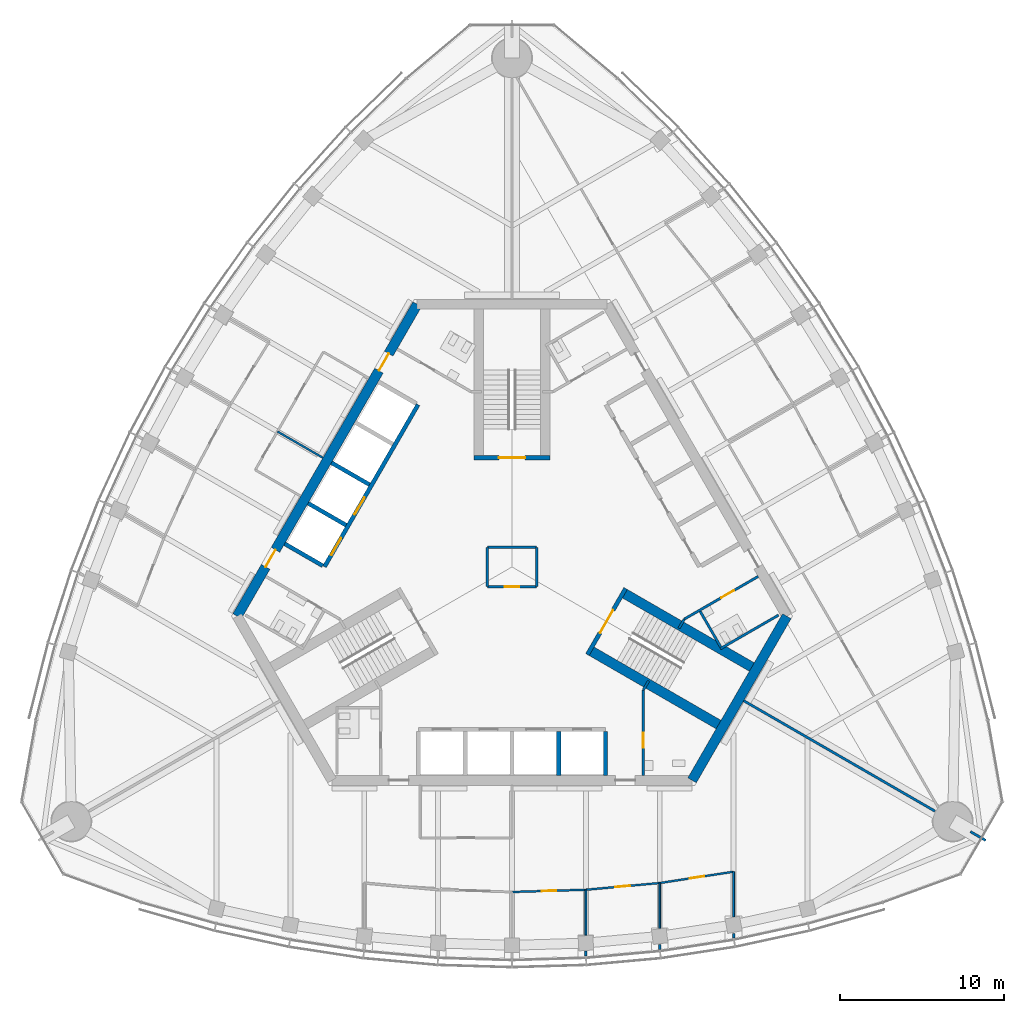
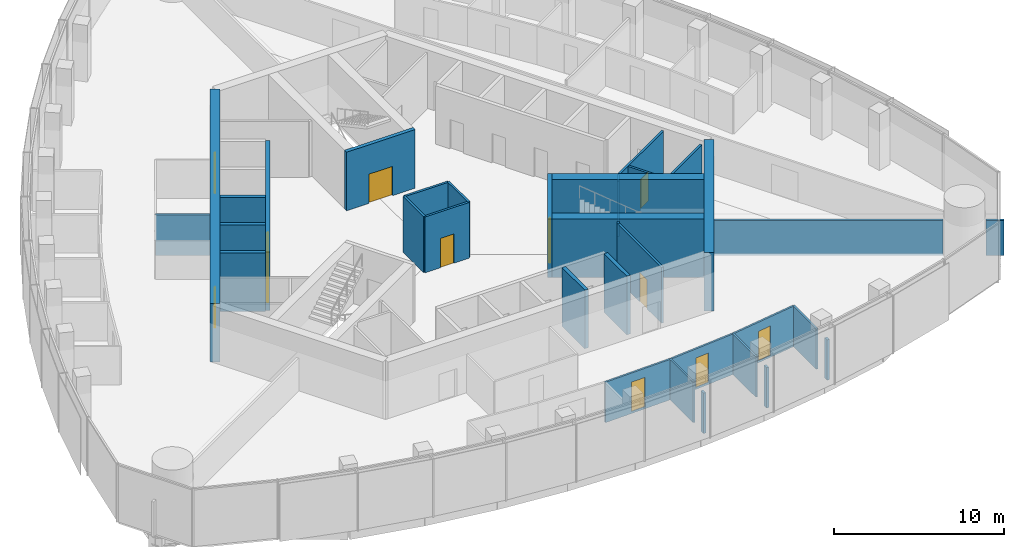
# One storey, part 9 of 16: 34 walls, 12 doors, 12 openings.
"""IFC4 building model written with IfcOpenShell, lengths in metres."""

from ifc_helpers import new_model, si_unit, direction, frame, frame_2d, origin, place, context, subcontext, project, spatial, rectangle, extrude, material, layer, layer_set, type_object, element, fill, save


model = new_model("IFC4")

# Units and contexts
model_context = context("Model", 3, precision=1e-05, world=origin(), true_north=direction((0.0, 1.0)))
body_context = subcontext(model_context, "Body", "Model", "MODEL_VIEW")
ifc_project = project(units=[si_unit("LENGTHUNIT", "METRE"), si_unit("AREAUNIT", "SQUARE_METRE"), si_unit("VOLUMEUNIT", "CUBIC_METRE"), si_unit("PLANEANGLEUNIT", "RADIAN"), si_unit("MASSUNIT", "GRAM", prefix="KILO")], contexts=[model_context])

# Site, building, storey
site_placement = place(None, origin())
site = spatial("IfcSite", under=ifc_project, at=site_placement, CompositionType="ELEMENT")
building_placement = place(site_placement, origin())
building = spatial("IfcBuilding", under=site, at=building_placement, Name="Trefoil Bronze Tower", CompositionType="ELEMENT")
storey_placement = place(building_placement, frame((0.0, 0.0, 301.5)))
storey = spatial("IfcBuildingStorey", under=building, at=storey_placement, Name="L69", CompositionType="ELEMENT", Elevation=301.5)

# Wall
ifc_material_1 = material(Name="Concrete B80", Category="concrete")
ifc_layer_1 = layer(ifc_material_1, 0.60009765625)
ifc_layer_set_1 = layer_set([ifc_layer_1], Name="Core wall 600")
wall_type_1 = type_object("IfcWallType", Name="Core wall 600", PredefinedType="SHEAR", material=ifc_layer_set_1)
wall_1_placement = place(storey_placement, frame((10.9697265625, -13.0, 0.0), z_axis=(0.0, 0.0, 1.0), x_axis=(0.499995765644, 0.866027848477, 0.0)))
element("IfcWall", 1, at=wall_1_placement, inside=storey, type_object=wall_type_1, Name="Core short wall 1 L69", PredefinedType="SHEAR", context=body_context, shape_type="SweptSolid", body=[
    extrude(rectangle(XDim=11.546875, YDim=0.60009765625, at=frame_2d((5.7734375, 0.0))), origin(), (0.0, 0.0, 1.0), 4.199951171875),
])

# Wall, openings, doors
wall_2_placement = place(storey_placement, frame((-5.7734375, 16.0, 0.0), z_axis=(0.0, 0.0, 1.0), x_axis=(-0.500002442456, -0.866023993627, 0.0)))
wall_2 = element("IfcWall", 2, at=wall_2_placement, inside=storey, type_object=wall_type_1, Name="Core long wall 3 L69", PredefinedType="SHEAR", context=body_context, shape_type="SweptSolid", body=[
    extrude(rectangle(XDim=21.939453125, YDim=0.60009765625, at=frame_2d((10.9697265625, 0.0))), origin(), (0.0, 0.0, 1.0), 4.199951171875),
])
opening_1_placement = place(wall_2_placement, frame((17.269775390625, 0.0, 0.0)))
opening_1 = element("IfcOpeningElement", 3, at=opening_1_placement, cuts=wall_2, Name="Opening D2", PredefinedType="OPENING", context=body_context, shape_type="SweptSolid", body=[
    extrude(rectangle(XDim=1.199951171875, YDim=2.10009765625, at=frame_2d((0.60009765625, 1.050048828125))), frame((0.0, 0.31005859375, 0.0), z_axis=(0.0, -1.0, 0.0), x_axis=(1.0, 0.0, 0.0)), (0.0, 0.0, 1.0), 0.6201171875),
])
opening_2_placement = place(wall_2_placement, frame((3.4697265625, 0.0, 0.0)))
opening_2 = element("IfcOpeningElement", 4, at=opening_2_placement, cuts=wall_2, Name="Opening D2", PredefinedType="OPENING", context=body_context, shape_type="SweptSolid", body=[
    extrude(rectangle(XDim=1.199951171875, YDim=2.10009765625, at=frame_2d((0.60009765625, 1.050048828125))), frame((0.0, 0.31005859375, 0.0), z_axis=(0.0, -1.0, 0.0), x_axis=(1.0, 0.0, 0.0)), (0.0, 0.0, 1.0), 0.6201171875),
])
ifc_material_2 = material(Name="Steel door", Category="steel")
door_type_1 = type_object("IfcDoorType", Name="Lobby door 1200", OperationType="SINGLE_SWING_RIGHT", PredefinedType="DOOR", material=ifc_material_2)
door_1_placement = place(opening_1_placement, origin())
door_1 = element("IfcDoor", 5, at=door_1_placement, inside=storey, type_object=door_type_1, Name="Lobby door F3+ L69", OperationType="SINGLE_SWING_RIGHT", OverallHeight=2.10009765625, OverallWidth=1.199951171875, PredefinedType="DOOR", context=body_context, shape_type="SweptSolid", body=[
    extrude(rectangle(XDim=1.199951171875, YDim=2.10009765625, at=frame_2d((0.60009765625, 1.050048828125))), frame((0.0, 0.02490234375, 0.0), z_axis=(0.0, -1.0, 0.0), x_axis=(1.0, 0.0, 0.0)), (0.0, 0.0, 1.0), 0.050048828125),
])
fill(opening_1, door_1)
door_2_placement = place(opening_2_placement, origin())
door_2 = element("IfcDoor", 6, at=door_2_placement, inside=storey, type_object=door_type_1, Name="Lobby door F3- L69", OperationType="SINGLE_SWING_LEFT", OverallHeight=2.10009765625, OverallWidth=1.199951171875, PredefinedType="DOOR", context=body_context, shape_type="SweptSolid", body=[
    extrude(rectangle(XDim=1.199951171875, YDim=2.10009765625, at=frame_2d((0.60009765625, 1.050048828125))), frame((0.0, 0.02490234375, 0.0), z_axis=(0.0, -1.0, 0.0), x_axis=(1.0, 0.0, 0.0)), (0.0, 0.0, 1.0), 0.050048828125),
])
fill(opening_2, door_2)

# Wall, opening, door
ifc_material_3 = material(Name="Glazed partition", Category="glass")
ifc_layer_2 = layer(ifc_material_3, 0.1201171875)
ifc_layer_set_2 = layer_set([ifc_layer_2], Name="Glazed partition 120")
wall_type_2 = type_object("IfcWallType", Name="Glazed partition 120", PredefinedType="PARTITIONING", material=ifc_layer_set_2)
wall_3_placement = place(storey_placement, frame((0.0, -19.801513671875, 0.0), z_axis=(0.0, 0.0, 1.0), x_axis=(0.999542074227, 0.030259574513, 0.0)))
wall_3 = element("IfcWall", 7, at=wall_3_placement, inside=storey, type_object=wall_type_2, Name="Partition F1 L69", PredefinedType="PARTITIONING", context=body_context, shape_type="SweptSolid", body=[
    extrude(rectangle(XDim=4.501953125, YDim=0.1201171875, at=frame_2d((2.2509765625, 0.0))), origin(), (0.0, 0.0, 1.0), 2.89990234375),
])
opening_3_placement = place(wall_3_placement, frame((1.800048828125, 0.0, 0.14990234375)))
opening_3 = element("IfcOpeningElement", 8, at=opening_3_placement, cuts=wall_3, Name="Opening D8", PredefinedType="OPENING", context=body_context, shape_type="SweptSolid", body=[
    extrude(rectangle(XDim=0.89990234375, YDim=2.10009765625, at=frame_2d((0.449951171875, 1.050048828125))), frame((0.0, 0.070068359375, 0.0), z_axis=(0.0, -1.0, 0.0), x_axis=(1.0, 0.0, 0.0)), (0.0, 0.0, 1.0), 0.14013671875),
])
ifc_material_4 = material(Name="Timber door", Category="wood")
door_type_2 = type_object("IfcDoorType", Name="Office door 900", OperationType="SINGLE_SWING_LEFT", PredefinedType="DOOR", material=ifc_material_4)
door_3_placement = place(opening_3_placement, frame((0.89990234375, 0.0, 0.0), z_axis=(0.0, 0.0, 1.0), x_axis=(-1.0, 0.0, 0.0)))
door_3 = element("IfcDoor", 9, at=door_3_placement, inside=storey, type_object=door_type_2, Name="Office door F1 L69", OperationType="SINGLE_SWING_RIGHT", OverallHeight=2.10009765625, OverallWidth=0.89990234375, PredefinedType="DOOR", context=body_context, shape_type="SweptSolid", body=[
    extrude(rectangle(XDim=0.89990234375, YDim=2.10009765625, at=frame_2d((0.449951171875, 1.050048828125))), frame((0.0, 0.02490234375, 0.0), z_axis=(0.0, -1.0, 0.0), x_axis=(1.0, 0.0, 0.0)), (0.0, 0.0, 1.0), 0.050048828125),
])
fill(opening_3, door_3)

wall_4_placement = place(storey_placement, frame((4.5, -19.665283203125, 0.0), z_axis=(0.0, 0.0, 1.0), x_axis=(0.995871921504, 0.090769576179, 0.0)))
wall_4 = element("IfcWall", 10, at=wall_4_placement, inside=storey, type_object=wall_type_2, Name="Partition F1 L69", PredefinedType="PARTITIONING", context=body_context, shape_type="SweptSolid", body=[
    extrude(rectangle(XDim=4.5185546875, YDim=0.1201171875, at=frame_2d((2.25927734375, 0.0))), origin(), (0.0, 0.0, 1.0), 2.89990234375),
])
opening_4_placement = place(wall_4_placement, frame((1.800048828125, 0.0, 0.14990234375)))
opening_4 = element("IfcOpeningElement", 11, at=opening_4_placement, cuts=wall_4, Name="Opening D8", PredefinedType="OPENING", context=body_context, shape_type="SweptSolid", body=[
    extrude(rectangle(XDim=0.89990234375, YDim=2.10009765625, at=frame_2d((0.449951171875, 1.050048828125))), frame((0.0, 0.070068359375, 0.0), z_axis=(0.0, -1.0, 0.0), x_axis=(1.0, 0.0, 0.0)), (0.0, 0.0, 1.0), 0.14013671875),
])
door_4_placement = place(opening_4_placement, frame((0.89990234375, 0.0, 0.0), z_axis=(0.0, 0.0, 1.0), x_axis=(-1.0, 0.0, 0.0)))
door_4 = element("IfcDoor", 12, at=door_4_placement, inside=storey, type_object=door_type_2, Name="Office door F1 L69", OperationType="SINGLE_SWING_RIGHT", OverallHeight=2.10009765625, OverallWidth=0.89990234375, PredefinedType="DOOR", context=body_context, shape_type="SweptSolid", body=[
    extrude(rectangle(XDim=0.89990234375, YDim=2.10009765625, at=frame_2d((0.449951171875, 1.050048828125))), frame((0.0, 0.02490234375, 0.0), z_axis=(0.0, -1.0, 0.0), x_axis=(1.0, 0.0, 0.0)), (0.0, 0.0, 1.0), 0.050048828125),
])
fill(opening_4, door_4)

wall_5_placement = place(storey_placement, frame((9.0, -19.255126953125, 0.0), z_axis=(0.0, 0.0, 1.0), x_axis=(0.988481794406, 0.151339823341, 0.0)))
wall_5 = element("IfcWall", 13, at=wall_5_placement, inside=storey, type_object=wall_type_2, Name="Partition F1 L69", PredefinedType="PARTITIONING", context=body_context, shape_type="SweptSolid", body=[
    extrude(rectangle(XDim=4.552490234375, YDim=0.1201171875, at=frame_2d((2.2763671875, 0.0))), origin(), (0.0, 0.0, 1.0), 2.89990234375),
])
opening_5_placement = place(wall_5_placement, frame((1.85009765625, 0.0, 0.14990234375)))
opening_5 = element("IfcOpeningElement", 14, at=opening_5_placement, cuts=wall_5, Name="Opening D8", PredefinedType="OPENING", context=body_context, shape_type="SweptSolid", body=[
    extrude(rectangle(XDim=0.89990234375, YDim=2.10009765625, at=frame_2d((0.449951171875, 1.050048828125))), frame((0.0, 0.070068359375, 0.0), z_axis=(0.0, -1.0, 0.0), x_axis=(1.0, 0.0, 0.0)), (0.0, 0.0, 1.0), 0.14013671875),
])
door_5_placement = place(opening_5_placement, frame((0.89990234375, 0.0, 0.0), z_axis=(0.0, 0.0, 1.0), x_axis=(-1.0, 0.0, 0.0)))
door_5 = element("IfcDoor", 15, at=door_5_placement, inside=storey, type_object=door_type_2, Name="Office door F1 L69", OperationType="SINGLE_SWING_LEFT", OverallHeight=2.10009765625, OverallWidth=0.89990234375, PredefinedType="DOOR", context=body_context, shape_type="SweptSolid", body=[
    extrude(rectangle(XDim=0.89990234375, YDim=2.10009765625, at=frame_2d((0.449951171875, 1.050048828125))), frame((0.0, 0.02490234375, 0.0), z_axis=(0.0, -1.0, 0.0), x_axis=(1.0, 0.0, 0.0)), (0.0, 0.0, 1.0), 0.050048828125),
])
fill(opening_5, door_5)

# Walls
wall_6_placement = place(storey_placement, frame((13.5, -18.566162109375, 0.0), z_axis=(0.0, 0.0, 1.0), x_axis=(0.0, -1.0, 0.0)))
element("IfcWall", 16, at=wall_6_placement, inside=storey, type_object=wall_type_2, Name="Partition F1 L69", PredefinedType="PARTITIONING", context=body_context, shape_type="SweptSolid", body=[
    extrude(rectangle(XDim=2.74853515625, YDim=0.1201171875, at=frame_2d((1.374267578125, 0.0))), origin(), (0.0, 0.0, 1.0), 2.89990234375),
])
wall_7_placement = place(storey_placement, frame((4.5, -19.665283203125, 0.0), z_axis=(0.0, 0.0, 1.0), x_axis=(0.0, -1.0, 0.0)))
element("IfcWall", 17, at=wall_7_placement, inside=storey, type_object=wall_type_2, Name="Partition F1 L69", PredefinedType="PARTITIONING", context=body_context, shape_type="SweptSolid", body=[
    extrude(rectangle(XDim=2.767822265625, YDim=0.1201171875, at=frame_2d((1.3837890625, 0.0))), origin(), (0.0, 0.0, 1.0), 2.89990234375),
])
wall_8_placement = place(storey_placement, frame((9.0, -19.255126953125, 0.0), z_axis=(0.0, 0.0, 1.0), x_axis=(0.0, -1.0, 0.0)))
element("IfcWall", 18, at=wall_8_placement, inside=storey, type_object=wall_type_2, Name="Partition F1 L69", PredefinedType="PARTITIONING", context=body_context, shape_type="SweptSolid", body=[
    extrude(rectangle(XDim=2.760498046875, YDim=0.1201171875, at=frame_2d((1.38037109375, 0.0))), origin(), (0.0, 0.0, 1.0), 2.89990234375),
])
wall_9_placement = place(storey_placement, frame((-11.51806640625, 6.64990234375, 0.0), z_axis=(0.0, 0.0, 1.0), x_axis=(-0.866008981251, 0.500028443584, 0.0)))
element("IfcWall", 19, at=wall_9_placement, inside=storey, type_object=wall_type_2, Name="Partition F3 L69", PredefinedType="PARTITIONING", context=body_context, shape_type="SweptSolid", body=[
    extrude(rectangle(XDim=3.199951171875, YDim=0.1201171875, at=frame_2d((1.60009765625, 0.0))), origin(), (0.0, 0.0, 1.0), 2.89990234375),
])

# Wall, opening, door
ifc_material_5 = material(Name="Gypsum board on steel studs", Category="steel")
ifc_layer_3 = layer(ifc_material_5, 0.14990234375)
ifc_layer_set_3 = layer_set([ifc_layer_3], Name="Partition 150")
wall_type_3 = type_object("IfcWallType", Name="Partition 150", PredefinedType="PARTITIONING", material=ifc_layer_set_3)
wall_10_placement = place(storey_placement, frame((8.0, -7.5, 0.0), z_axis=(0.0, 0.0, 1.0), x_axis=(0.0, -1.0, 0.0)))
wall_10 = element("IfcWall", 20, at=wall_10_placement, inside=storey, type_object=wall_type_3, Name="Passage wall F1+ L69", PredefinedType="PARTITIONING", context=body_context, shape_type="SweptSolid", body=[
    extrude(rectangle(XDim=5.199951171875, YDim=0.14990234375, at=frame_2d((2.60009765625, 0.0))), origin(), (0.0, 0.0, 1.0), 4.0),
])
opening_6_placement = place(wall_10_placement, frame((2.60009765625, 0.0, 0.0)))
opening_6 = element("IfcOpeningElement", 21, at=opening_6_placement, cuts=wall_10, Name="Opening D3", PredefinedType="OPENING", context=body_context, shape_type="SweptSolid", body=[
    extrude(rectangle(XDim=0.89990234375, YDim=2.10009765625, at=frame_2d((0.449951171875, 1.050048828125))), frame((0.0, 0.0849609375, 0.0), z_axis=(0.0, -1.0, 0.0), x_axis=(1.0, 0.0, 0.0)), (0.0, 0.0, 1.0), 0.169921875),
])
ifc_material_6 = material(Name="Timber door", Category="wood")
door_type_3 = type_object("IfcDoorType", Name="WC door 900", OperationType="SINGLE_SWING_LEFT", PredefinedType="DOOR", material=ifc_material_6)
door_6_placement = place(opening_6_placement, origin())
door_6 = element("IfcDoor", 22, at=door_6_placement, inside=storey, type_object=door_type_3, Name="Accessible WC door L69", OperationType="SINGLE_SWING_RIGHT", OverallHeight=2.10009765625, OverallWidth=0.89990234375, PredefinedType="DOOR", context=body_context, shape_type="SweptSolid", body=[
    extrude(rectangle(XDim=0.89990234375, YDim=2.10009765625, at=frame_2d((0.449951171875, 1.050048828125))), frame((0.0, 0.02490234375, 0.0), z_axis=(0.0, -1.0, 0.0), x_axis=(1.0, 0.0, 0.0)), (0.0, 0.0, 1.0), 0.050048828125),
])
fill(opening_6, door_6)

wall_11_placement = place(storey_placement, frame((10.4951171875, -3.17822265625, 0.0), z_axis=(0.0, 0.0, 1.0), x_axis=(0.866021400173, 0.500006934395, 0.0)))
wall_11 = element("IfcWall", 23, at=wall_11_placement, inside=storey, type_object=wall_type_3, Name="Passage wall F2- L69", PredefinedType="PARTITIONING", context=body_context, shape_type="SweptSolid", body=[
    extrude(rectangle(XDim=5.2001953125, YDim=0.14990234375, at=frame_2d((2.60009765625, 0.0))), origin(), (0.0, 0.0, 1.0), 4.0),
])
opening_7_placement = place(wall_11_placement, frame((2.60009765625, 0.0, 0.0)))
opening_7 = element("IfcOpeningElement", 24, at=opening_7_placement, cuts=wall_11, Name="Opening D3", PredefinedType="OPENING", context=body_context, shape_type="SweptSolid", body=[
    extrude(rectangle(XDim=0.89990234375, YDim=2.10009765625, at=frame_2d((0.449951171875, 1.050048828125))), frame((0.0, 0.0849609375, 0.0), z_axis=(0.0, -1.0, 0.0), x_axis=(1.0, 0.0, 0.0)), (0.0, 0.0, 1.0), 0.169921875),
])
door_7_placement = place(opening_7_placement, frame((0.89990234375, 0.0, 0.0), z_axis=(0.0, 0.0, 1.0), x_axis=(-1.0, 0.0, 0.0)))
door_7 = element("IfcDoor", 25, at=door_7_placement, inside=storey, type_object=door_type_3, Name="WC (women) door L69", OperationType="SINGLE_SWING_RIGHT", OverallHeight=2.10009765625, OverallWidth=0.89990234375, PredefinedType="DOOR", context=body_context, shape_type="SweptSolid", body=[
    extrude(rectangle(XDim=0.89990234375, YDim=2.10009765625, at=frame_2d((0.449951171875, 1.050048828125))), frame((0.0, 0.02490234375, 0.0), z_axis=(0.0, -1.0, 0.0), x_axis=(1.0, 0.0, 0.0)), (0.0, 0.0, 1.0), 0.050048828125),
])
fill(opening_7, door_7)

# Walls
for number, where, z_axis, x_axis, name in (
    (26, (8.0, -7.5, 0.0), (0.0, 0.0, 1.0), (0.499842556608, 0.866116284689, 0.0), "WC wall ST1-1 L69"),
    (27, (10.4951171875, -3.17822265625, 0.0), (0.0, 0.0, 1.0), (-0.499842556608, -0.866116284689, 0.0), "WC wall ST1+1 L69"),
):
    element("IfcWall", number, at=place(storey_placement, frame(where, z_axis=z_axis, x_axis=x_axis)), inside=storey, type_object=wall_type_3, Name=name, PredefinedType="PARTITIONING", context=body_context, shape_type="SweptSolid", body=[
        extrude(rectangle(XDim=0.645263671875, YDim=0.14990234375, at=frame_2d((0.32275390625, 0.0))), origin(), (0.0, 0.0, 1.0), 4.0),
    ])
wall_12_placement = place(storey_placement, frame((12.691162109375, -4.98193359375, 0.0), z_axis=(0.0, 0.0, 1.0), x_axis=(0.8660249478, 0.500000789788, 0.0)))
element("IfcWall", 28, at=wall_12_placement, inside=storey, type_object=wall_type_3, Name="WC partition WC (women) L69", PredefinedType="PARTITIONING", context=body_context, shape_type="SweptSolid", body=[
    extrude(rectangle(XDim=4.10009765625, YDim=0.14990234375, at=frame_2d((2.050048828125, 0.0))), origin(), (0.0, 0.0, 1.0), 4.0),
])
wall_13_placement = place(storey_placement, frame((11.463623046875, -2.70556640625, 0.0), z_axis=(0.0, 0.0, 1.0), x_axis=(0.50001992892, -0.866013897511, 0.0)))
element("IfcWall", 29, at=wall_13_placement, inside=storey, type_object=wall_type_3, Name="WC partition WC (women) L69", PredefinedType="PARTITIONING", context=body_context, shape_type="SweptSolid", body=[
    extrude(rectangle(XDim=2.51025390625, YDim=0.14990234375, at=frame_2d((1.255126953125, 0.0))), origin(), (0.0, 0.0, 1.0), 4.0),
])
wall_14_placement = place(storey_placement, frame((13.5, -22.3310546875, 0.0), z_axis=(0.0, 0.0, 1.0), x_axis=(0.0, -1.0, 0.0)))
element("IfcWall", 30, at=wall_14_placement, inside=storey, type_object=wall_type_3, Name="Partition F1 L69", PredefinedType="PARTITIONING", context=body_context, shape_type="SweptSolid", body=[
    extrude(rectangle(XDim=0.2802734375, YDim=0.14990234375, at=frame_2d((0.14013671875, 0.0))), origin(), (0.0, 0.0, 1.0), 2.89990234375),
])
wall_15_placement = place(storey_placement, frame((4.5, -23.394287109375, 0.0), z_axis=(0.0, 0.0, 1.0), x_axis=(0.0, -1.0, 0.0)))
element("IfcWall", 31, at=wall_15_placement, inside=storey, type_object=wall_type_3, Name="Partition F1 L69", PredefinedType="PARTITIONING", context=body_context, shape_type="SweptSolid", body=[
    extrude(rectangle(XDim=0.316162109375, YDim=0.14990234375, at=frame_2d((0.158203125, 0.0))), origin(), (0.0, 0.0, 1.0), 2.89990234375),
])
wall_16_placement = place(storey_placement, frame((9.0, -23.00439453125, 0.0), z_axis=(0.0, 0.0, 1.0), x_axis=(0.0, -1.0, 0.0)))
element("IfcWall", 32, at=wall_16_placement, inside=storey, type_object=wall_type_3, Name="Partition F1 L69", PredefinedType="PARTITIONING", context=body_context, shape_type="SweptSolid", body=[
    extrude(rectangle(XDim=0.295654296875, YDim=0.14990234375, at=frame_2d((0.14794921875, 0.0))), origin(), (0.0, 0.0, 1.0), 2.89990234375),
])
ifc_material_7 = material(Name="Gypsum board on steel studs", Category="steel")
ifc_layer_4 = layer(ifc_material_7, 0.14990234375)
ifc_layer_set_4 = layer_set([ifc_layer_4], Name="Party wall 150")
wall_type_4 = type_object("IfcWallType", Name="Party wall 150", PredefinedType="PARTITIONING", material=ifc_layer_set_4)
wall_17_placement = place(storey_placement, frame((14.1162109375, -8.14990234375, 0.0), z_axis=(0.0, 0.0, 1.0), x_axis=(0.866020541135, -0.500008422262, 0.0)))
element("IfcWall", 33, at=wall_17_placement, inside=storey, type_object=wall_type_4, Name="Party wall K1 L69", PredefinedType="PARTITIONING", context=body_context, shape_type="SweptSolid", body=[
    extrude(rectangle(XDim=13.449951171875, YDim=0.14990234375, at=frame_2d((6.72509765625, 0.0))), origin(), (0.0, 0.0, 1.0), 2.5),
])
wall_18_placement = place(storey_placement, frame((27.92919921875, -16.125, 0.0), z_axis=(0.0, 0.0, 1.0), x_axis=(0.866086810508, -0.499893625349, 0.0)))
element("IfcWall", 34, at=wall_18_placement, inside=storey, type_object=wall_type_4, Name="Party wall K1 L69", PredefinedType="PARTITIONING", context=body_context, shape_type="SweptSolid", body=[
    extrude(rectangle(XDim=1.070068359375, YDim=0.14990234375, at=frame_2d((0.53515625, 0.0))), origin(), (0.0, 0.0, 1.0), 2.5),
])

# Wall, opening, door
ifc_material_8 = material(Name="Gypsum board on steel studs", Category="steel")
ifc_layer_5 = layer(ifc_material_8, 0.14990234375)
ifc_layer_set_5 = layer_set([ifc_layer_5], Name="Riser wall 150")
wall_type_5 = type_object("IfcWallType", Name="Riser wall 150", PredefinedType="PARTITIONING", material=ifc_layer_set_5)
wall_19_placement = place(storey_placement, frame((-1.5, -1.199951171875, 0.0), z_axis=(0.0, 0.0, 1.0), x_axis=(1.0, 0.0, 0.0)))
wall_19 = element("IfcWall", 35, at=wall_19_placement, inside=storey, type_object=wall_type_5, Name="Riser wall L69", PredefinedType="PARTITIONING", context=body_context, shape_type="SweptSolid", body=[
    extrude(rectangle(XDim=3.0, YDim=0.14990234375, at=frame_2d((1.5, 0.0))), origin(), (0.0, 0.0, 1.0), 4.0),
])
opening_8_placement = place(wall_19_placement, frame((1.050048828125, 0.0, 0.0)))
opening_8 = element("IfcOpeningElement", 36, at=opening_8_placement, cuts=wall_19, Name="Opening D4", PredefinedType="OPENING", context=body_context, shape_type="SweptSolid", body=[
    extrude(rectangle(XDim=0.89990234375, YDim=2.10009765625, at=frame_2d((0.449951171875, 1.050048828125))), frame((0.0, 0.0849609375, 0.0), z_axis=(0.0, -1.0, 0.0), x_axis=(1.0, 0.0, 0.0)), (0.0, 0.0, 1.0), 0.169921875),
])
ifc_material_9 = material(Name="Steel door", Category="steel")
door_type_4 = type_object("IfcDoorType", Name="Riser door 900", OperationType="SINGLE_SWING_LEFT", PredefinedType="DOOR", material=ifc_material_9)
door_8_placement = place(opening_8_placement, frame((0.89990234375, 0.0, 0.0), z_axis=(0.0, 0.0, 1.0), x_axis=(-1.0, 0.0, 0.0)))
door_8 = element("IfcDoor", 37, at=door_8_placement, inside=storey, type_object=door_type_4, Name="Riser door L69", OperationType="SINGLE_SWING_LEFT", OverallHeight=2.10009765625, OverallWidth=0.89990234375, PredefinedType="DOOR", context=body_context, shape_type="SweptSolid", body=[
    extrude(rectangle(XDim=0.89990234375, YDim=2.10009765625, at=frame_2d((0.449951171875, 1.050048828125))), frame((0.0, 0.02490234375, 0.0), z_axis=(0.0, -1.0, 0.0), x_axis=(1.0, 0.0, 0.0)), (0.0, 0.0, 1.0), 0.050048828125),
])
fill(opening_8, door_8)

# Walls
wall_20_placement = place(storey_placement, frame((1.5, -1.199951171875, 0.0), z_axis=(0.0, 0.0, 1.0), x_axis=(0.0, 1.0, 0.0)))
element("IfcWall", 38, at=wall_20_placement, inside=storey, type_object=wall_type_5, Name="Riser wall L69", PredefinedType="PARTITIONING", context=body_context, shape_type="SweptSolid", body=[
    extrude(rectangle(XDim=2.39990234375, YDim=0.14990234375, at=frame_2d((1.199951171875, 0.0))), origin(), (0.0, 0.0, 1.0), 4.0),
])
wall_21_placement = place(storey_placement, frame((1.5, 1.199951171875, 0.0), z_axis=(0.0, 0.0, 1.0), x_axis=(-1.0, 0.0, 0.0)))
element("IfcWall", 39, at=wall_21_placement, inside=storey, type_object=wall_type_5, Name="Riser wall L69", PredefinedType="PARTITIONING", context=body_context, shape_type="SweptSolid", body=[
    extrude(rectangle(XDim=3.0, YDim=0.14990234375, at=frame_2d((1.5, 0.0))), origin(), (0.0, 0.0, 1.0), 4.0),
])
wall_22_placement = place(storey_placement, frame((-1.5, 1.199951171875, 0.0), z_axis=(0.0, 0.0, 1.0), x_axis=(0.0, -1.0, 0.0)))
element("IfcWall", 40, at=wall_22_placement, inside=storey, type_object=wall_type_5, Name="Riser wall L69", PredefinedType="PARTITIONING", context=body_context, shape_type="SweptSolid", body=[
    extrude(rectangle(XDim=2.39990234375, YDim=0.14990234375, at=frame_2d((1.199951171875, 0.0))), origin(), (0.0, 0.0, 1.0), 4.0),
])
ifc_material_10 = material(Name="Concrete B80", Category="concrete")
ifc_layer_6 = layer(ifc_material_10, 0.25)
ifc_layer_set_6 = layer_set([ifc_layer_6], Name="Shaft wall 250")
wall_type_6 = type_object("IfcWallType", Name="Shaft wall 250", PredefinedType="SHEAR", material=ifc_layer_set_6)
for number, where, z_axis, x_axis, name in (
    (41, (2.85009765625, -10.02490234375, 0.0), (0.0, 0.0, 1.0), (0.0, -1.0, 0.0), "Lift shaft side wall A3 L69"),
    (42, (5.699951171875, -10.02490234375, 0.0), (0.0, 0.0, 1.0), (0.0, -1.0, 0.0), "Lift shaft side wall A4 L69"),
):
    element("IfcWall", number, at=place(storey_placement, frame(where, z_axis=z_axis, x_axis=x_axis)), inside=storey, type_object=wall_type_6, Name=name, PredefinedType="SHEAR", context=body_context, shape_type="SweptSolid", body=[
        extrude(rectangle(XDim=2.675048828125, YDim=0.25, at=frame_2d((1.33740234375, 0.0))), origin(), (0.0, 0.0, 1.0), 4.199951171875),
    ])

# Wall, openings, doors
wall_23_placement = place(storey_placement, frame((-5.7236328125, 9.88623046875, 0.0), z_axis=(0.0, 0.0, 1.0), x_axis=(-0.500001763848, -0.866024385424, 0.0)))
wall_23 = element("IfcWall", 43, at=wall_23_placement, inside=storey, type_object=wall_type_6, Name="Lift shaft front wall C L69", PredefinedType="SHEAR", context=body_context, shape_type="SweptSolid", body=[
    extrude(rectangle(XDim=11.39990234375, YDim=0.25, at=frame_2d((5.699951171875, 0.0))), origin(), (0.0, 0.0, 1.0), 4.199951171875),
])
opening_9_placement = place(wall_23_placement, frame((6.52490234375, 0.0, 0.0)))
opening_9 = element("IfcOpeningElement", 44, at=opening_9_placement, cuts=wall_23, Name="Opening LD-FL1", PredefinedType="OPENING", context=body_context, shape_type="SweptSolid", body=[
    extrude(rectangle(XDim=1.199951171875, YDim=2.199951171875, at=frame_2d((0.60009765625, 1.10009765625))), frame((0.0, 0.135009765625, 0.0), z_axis=(0.0, -1.0, 0.0), x_axis=(1.0, 0.0, 0.0)), (0.0, 0.0, 1.0), 0.27001953125),
])
opening_10_placement = place(wall_23_placement, frame((9.375, 0.0, 0.0)))
opening_10 = element("IfcOpeningElement", 45, at=opening_10_placement, cuts=wall_23, Name="Opening LD-FL2", PredefinedType="OPENING", context=body_context, shape_type="SweptSolid", body=[
    extrude(rectangle(XDim=1.199951171875, YDim=2.199951171875, at=frame_2d((0.60009765625, 1.10009765625))), frame((0.0, 0.135009765625, 0.0), z_axis=(0.0, -1.0, 0.0), x_axis=(1.0, 0.0, 0.0)), (0.0, 0.0, 1.0), 0.27001953125),
])
ifc_material_11 = material(Name="Steel door", Category="steel")
door_type_5 = type_object("IfcDoorType", Name="Lift landing door 1200", OperationType="DOUBLE_DOOR_SLIDING", PredefinedType="DOOR", material=ifc_material_11)
door_9_placement = place(opening_9_placement, origin())
door_9 = element("IfcDoor", 46, at=door_9_placement, inside=storey, type_object=door_type_5, Name="Lift FL1 landing door L69", OperationType="DOUBLE_DOOR_SLIDING", OverallHeight=2.199951171875, OverallWidth=1.199951171875, PredefinedType="DOOR", context=body_context, shape_type="SweptSolid", body=[
    extrude(rectangle(XDim=1.199951171875, YDim=2.199951171875, at=frame_2d((0.60009765625, 1.10009765625))), frame((0.0, 0.02490234375, 0.0), z_axis=(0.0, -1.0, 0.0), x_axis=(1.0, 0.0, 0.0)), (0.0, 0.0, 1.0), 0.050048828125),
])
fill(opening_9, door_9)
door_10_placement = place(opening_10_placement, origin())
door_10 = element("IfcDoor", 47, at=door_10_placement, inside=storey, type_object=door_type_5, Name="Lift FL2 landing door L69", OperationType="DOUBLE_DOOR_SLIDING", OverallHeight=2.199951171875, OverallWidth=1.199951171875, PredefinedType="DOOR", context=body_context, shape_type="SweptSolid", body=[
    extrude(rectangle(XDim=1.199951171875, YDim=2.199951171875, at=frame_2d((0.60009765625, 1.10009765625))), frame((0.0, 0.02490234375, 0.0), z_axis=(0.0, -1.0, 0.0), x_axis=(1.0, 0.0, 0.0)), (0.0, 0.0, 1.0), 0.050048828125),
])
fill(opening_10, door_10)

# Walls
for number, where, z_axis, x_axis, name in (
    (48, (-8.681884765625, 5.012451171875, 0.0), (0.0, 0.0, 1.0), (-0.866004723184, 0.50003581814, 0.0), "Lift shaft side wall C2 L69"),
    (49, (-10.10693359375, 2.54443359375, 0.0), (0.0, 0.0, 1.0), (-0.86604424267, 0.499967368674, 0.0), "Lift shaft side wall C3 L69"),
    (50, (-11.531982421875, 0.076171875, 0.0), (0.0, 0.0, 1.0), (-0.86604424267, 0.499967368674, 0.0), "Lift shaft side wall C4 L69"),
):
    element("IfcWall", number, at=place(storey_placement, frame(where, z_axis=z_axis, x_axis=x_axis)), inside=storey, type_object=wall_type_6, Name=name, PredefinedType="SHEAR", context=body_context, shape_type="SweptSolid", body=[
        extrude(rectangle(XDim=2.675048828125, YDim=0.25, at=frame_2d((1.33740234375, 0.0))), origin(), (0.0, 0.0, 1.0), 4.199951171875),
    ])

# Wall, opening, door
wall_24_placement = place(storey_placement, frame((4.5966796875, -5.338623046875, 0.0), z_axis=(0.0, 0.0, 1.0), x_axis=(0.499984536904, 0.866034331223, 0.0)))
wall_24 = element("IfcWall", 51, at=wall_24_placement, inside=storey, type_object=wall_type_6, Name="Stair end wall ST1 L69", PredefinedType="SHEAR", context=body_context, shape_type="SweptSolid", body=[
    extrude(rectangle(XDim=4.650146484375, YDim=0.25, at=frame_2d((2.3251953125, 0.0))), origin(), (0.0, 0.0, 1.0), 4.199951171875),
])
opening_11_placement = place(wall_24_placement, frame((1.52490234375, 0.0, 0.0)))
opening_11 = element("IfcOpeningElement", 52, at=opening_11_placement, cuts=wall_24, Name="Opening D1", PredefinedType="OPENING", context=body_context, shape_type="SweptSolid", body=[
    extrude(rectangle(XDim=1.60009765625, YDim=2.10009765625, at=frame_2d((0.800048828125, 1.050048828125))), frame((0.0, 0.135009765625, 0.0), z_axis=(0.0, -1.0, 0.0), x_axis=(1.0, 0.0, 0.0)), (0.0, 0.0, 1.0), 0.27001953125),
])
ifc_material_12 = material(Name="Steel door", Category="steel")
door_type_6 = type_object("IfcDoorType", Name="Stair door 1600", OperationType="DOUBLE_DOOR_SINGLE_SWING", PredefinedType="DOOR", material=ifc_material_12)
door_11_placement = place(opening_11_placement, frame((1.60009765625, 0.0, 0.0), z_axis=(0.0, 0.0, 1.0), x_axis=(-1.0, 0.0, 0.0)))
door_11 = element("IfcDoor", 53, at=door_11_placement, inside=storey, type_object=door_type_6, Name="Stair door ST1 L69", OperationType="DOUBLE_DOOR_SINGLE_SWING", OverallHeight=2.10009765625, OverallWidth=1.60009765625, PredefinedType="DOOR", context=body_context, shape_type="SweptSolid", body=[
    extrude(rectangle(XDim=1.60009765625, YDim=2.10009765625, at=frame_2d((0.800048828125, 1.050048828125))), frame((0.0, 0.02490234375, 0.0), z_axis=(0.0, -1.0, 0.0), x_axis=(1.0, 0.0, 0.0)), (0.0, 0.0, 1.0), 0.050048828125),
])
fill(opening_11, door_11)

wall_25_placement = place(storey_placement, frame((2.324951171875, 6.64990234375, 0.0), z_axis=(0.0, 0.0, 1.0), x_axis=(-1.0, 0.0, 0.0)))
wall_25 = element("IfcWall", 54, at=wall_25_placement, inside=storey, type_object=wall_type_6, Name="Stair end wall ST2 L69", PredefinedType="SHEAR", context=body_context, shape_type="SweptSolid", body=[
    extrude(rectangle(XDim=4.64990234375, YDim=0.25, at=frame_2d((2.324951171875, 0.0))), origin(), (0.0, 0.0, 1.0), 4.199951171875),
])
opening_12_placement = place(wall_25_placement, frame((1.52490234375, 0.0, 0.0)))
opening_12 = element("IfcOpeningElement", 55, at=opening_12_placement, cuts=wall_25, Name="Opening D1", PredefinedType="OPENING", context=body_context, shape_type="SweptSolid", body=[
    extrude(rectangle(XDim=1.60009765625, YDim=2.10009765625, at=frame_2d((0.800048828125, 1.050048828125))), frame((0.0, 0.135009765625, 0.0), z_axis=(0.0, -1.0, 0.0), x_axis=(1.0, 0.0, 0.0)), (0.0, 0.0, 1.0), 0.27001953125),
])
door_12_placement = place(opening_12_placement, frame((1.60009765625, 0.0, 0.0), z_axis=(0.0, 0.0, 1.0), x_axis=(-1.0, 0.0, 0.0)))
door_12 = element("IfcDoor", 56, at=door_12_placement, inside=storey, type_object=door_type_6, Name="Stair door ST2 L69", OperationType="DOUBLE_DOOR_SINGLE_SWING", OverallHeight=2.10009765625, OverallWidth=1.60009765625, PredefinedType="DOOR", context=body_context, shape_type="SweptSolid", body=[
    extrude(rectangle(XDim=1.60009765625, YDim=2.10009765625, at=frame_2d((0.800048828125, 1.050048828125))), frame((0.0, 0.02490234375, 0.0), z_axis=(0.0, -1.0, 0.0), x_axis=(1.0, 0.0, 0.0)), (0.0, 0.0, 1.0), 0.050048828125),
])
fill(opening_12, door_12)

# Walls
ifc_material_13 = material(Name="Concrete B80", Category="concrete")
ifc_layer_7 = layer(ifc_material_13, 0.60009765625)
ifc_layer_set_7 = layer_set([ifc_layer_7], Name="Stair wall 600")
wall_type_7 = type_object("IfcWallType", Name="Stair wall 600", PredefinedType="SHEAR", material=ifc_layer_set_7)
wall_26_placement = place(storey_placement, frame((4.638427734375, -5.01611328125, 0.0), z_axis=(0.0, 0.0, 1.0), x_axis=(0.866012320003, -0.50002266109, 0.0)))
element("IfcWall", 57, at=wall_26_placement, inside=storey, type_object=wall_type_7, Name="Stair wall ST1 L69", PredefinedType="SHEAR", context=body_context, shape_type="SweptSolid", body=[
    extrude(rectangle(XDim=9.1748046875, YDim=0.60009765625, at=frame_2d((4.58740234375, 0.0))), origin(), (0.0, 0.0, 1.0), 4.199951171875),
])
wall_27_placement = place(storey_placement, frame((6.663330078125, -1.5087890625, 0.0), z_axis=(0.0, 0.0, 1.0), x_axis=(0.86603049496, -0.499991181721, 0.0)))
element("IfcWall", 58, at=wall_27_placement, inside=storey, type_object=wall_type_7, Name="Stair wall ST1 L69", PredefinedType="SHEAR", context=body_context, shape_type="SweptSolid", body=[
    extrude(rectangle(XDim=9.175048828125, YDim=0.60009765625, at=frame_2d((4.58740234375, 0.0))), origin(), (0.0, 0.0, 1.0), 4.199951171875),
])

save(model, "model.ifc")
